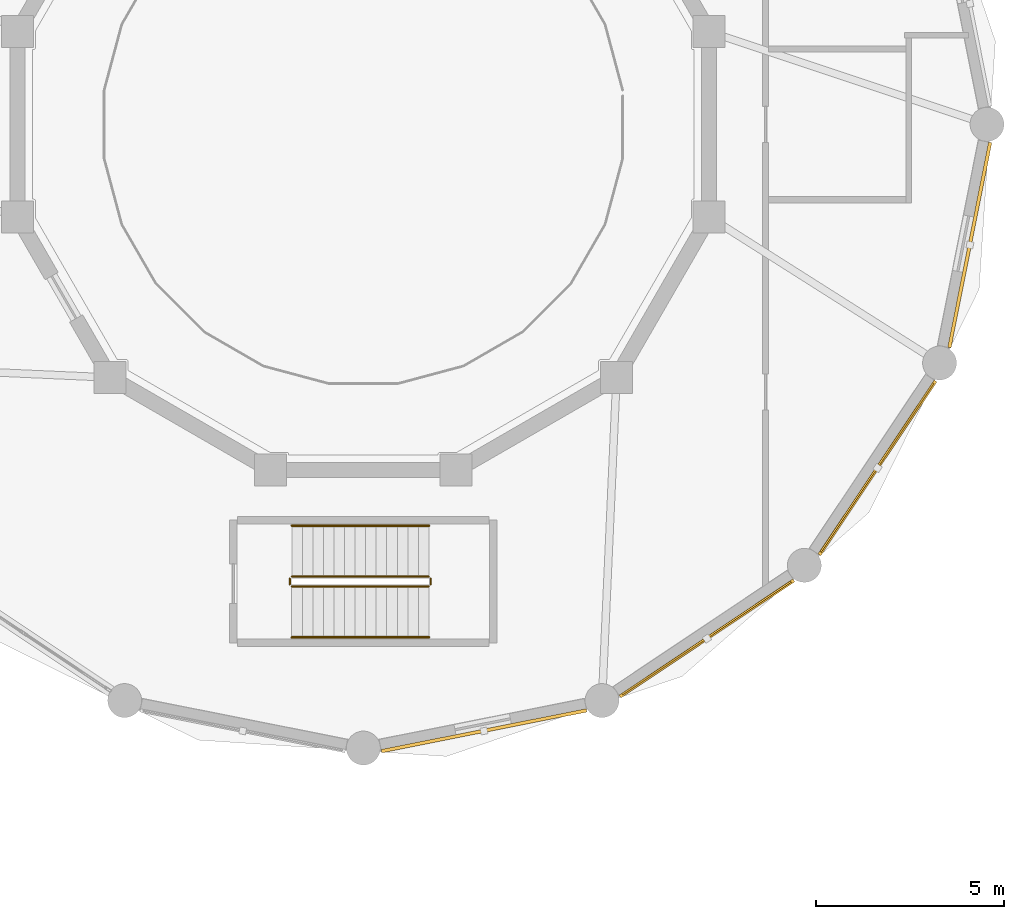
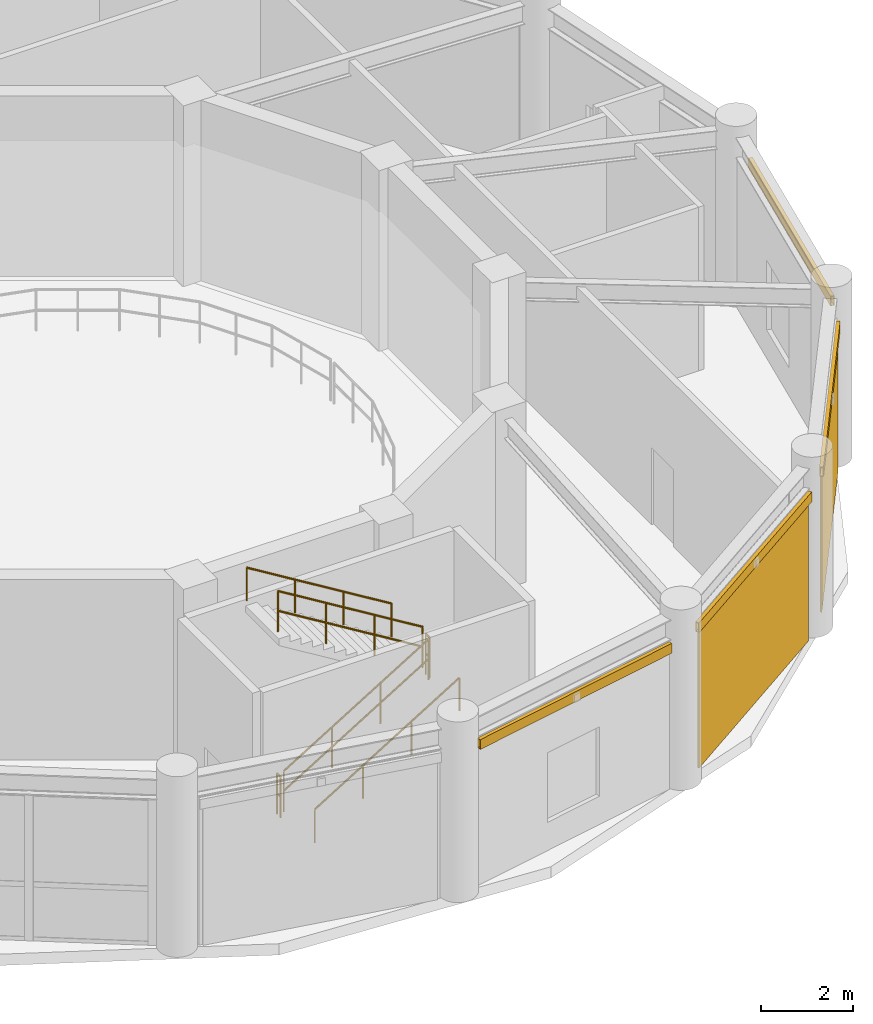
# One storey, part 42 of 44: 6 railings, 4 shading devices, 2 coverings.
"""IFC4 building model written with IfcOpenShell, lengths in metres."""

import ifcopenshell
import ifcopenshell.guid

model = None  # the IFC model being written
_history = None  # IfcOwnerHistory: only IFC2X3 demands one
_inside = {}  # id of a spatial element -> (the spatial element, [elements in it])
_under = {}  # id of a project, library or spatial element -> (it, [spatial elements below it])
_declared = {}  # id of a project -> (the project, [libraries it declares])
_typed = {}  # id of a type object -> (the type object, [elements of that type])
_made_of = {}  # id of a material, layer set ... -> (it, [elements and type objects made of it])


def new_model(schema):
    """Start an empty IFC model of exactly this schema.

    Asked for "IFC4X3", IfcOpenShell would pick the latest addendum, in which some entities
    have other attributes; the version numbers below select the first issue.
    IFC2X3 requires an IfcOwnerHistory on every rooted entity: one is made here for all.
    """
    global model, _history
    if schema == "IFC4X3":
        model = ifcopenshell.file(schema_version=(4, 3, 0, 0))
    else:
        model = ifcopenshell.file(schema=schema)
    _inside.clear()
    _under.clear()
    _declared.clear()
    _typed.clear()
    _made_of.clear()
    _history = None
    if model.schema == "IFC2X3":
        org = make("IfcOrganization", Name="unknown")
        user = make(
            "IfcPersonAndOrganization",
            ThePerson=make("IfcPerson", FamilyName="unknown"),
            TheOrganization=org,
        )
        app = make(
            "IfcApplication",
            ApplicationDeveloper=org,
            Version="unknown",
            ApplicationFullName="unknown",
            ApplicationIdentifier="unknown",
        )
        _history = make(
            "IfcOwnerHistory",
            OwningUser=user,
            OwningApplication=app,
            ChangeAction="ADDED",
            CreationDate=0,
        )
    return model


def make(cls, **values):
    """One entity of the class cls with the attributes given. An attribute that is None is left unset."""
    return model.create_entity(
        cls, **{name: value for name, value in values.items() if value is not None}
    )


def rooted(cls, **values):
    """An entity with a GlobalId (a new one), such as an element, a storey or a relation."""
    return make(cls, GlobalId=ifcopenshell.guid.new(), OwnerHistory=_history, **values)


def si_unit(unit_type, name, prefix=None):
    """IfcSIUnit, for example si_unit("LENGTHUNIT", "METRE", prefix="MILLI")."""
    return make("IfcSIUnit", UnitType=unit_type, Prefix=prefix, Name=name)


def derived_unit(unit_type, elements):
    """IfcDerivedUnit: a product of units, each with its exponent."""
    return make(
        "IfcDerivedUnit",
        Elements=[
            make("IfcDerivedUnitElement", Unit=unit, Exponent=power)
            for unit, power in elements
        ],
        UnitType=unit_type,
    )


def assignment(units):
    """IfcUnitAssignment: the units of a project."""
    return None if units is None else make("IfcUnitAssignment", Units=units)


def point(xyz):
    """IfcCartesianPoint."""
    return None if xyz is None else make("IfcCartesianPoint", Coordinates=xyz)


def direction(xyz):
    """IfcDirection."""
    return None if xyz is None else make("IfcDirection", DirectionRatios=xyz)


def frame(location, z_axis=None, x_axis=None):
    """IfcAxis2Placement3D, a coordinate frame: its origin and axes. An axis left out is left unset."""
    return make(
        "IfcAxis2Placement3D",
        Location=point(location),
        Axis=direction(z_axis),
        RefDirection=direction(x_axis),
    )


def frame_2d(location, x_axis=None):
    """IfcAxis2Placement2D, a coordinate frame in the plane: its origin and x axis."""
    return make(
        "IfcAxis2Placement2D", Location=point(location), RefDirection=direction(x_axis)
    )


def origin():
    """The frame at (0, 0, 0) with its axes left unset."""
    return frame((0.0, 0.0, 0.0))


def origin_2d():
    """The frame at (0, 0) in the plane with its x axis left unset."""
    return frame_2d((0.0, 0.0))


def place(relative_to, where):
    """IfcLocalPlacement: puts the frame where relative to a parent placement (None: the world)."""
    return make(
        "IfcLocalPlacement", PlacementRelTo=relative_to, RelativePlacement=where
    )


def context(
    kind, dimensions, precision=None, world=None, true_north=None, identifier=None
):
    """IfcGeometricRepresentationContext, for example the 3D "Model" context."""
    return make(
        "IfcGeometricRepresentationContext",
        ContextIdentifier=identifier,
        ContextType=kind,
        CoordinateSpaceDimension=dimensions,
        Precision=precision,
        WorldCoordinateSystem=world,
        TrueNorth=true_north,
    )


def subcontext(parent, identifier, kind, view, scale=None):
    """IfcGeometricRepresentationSubContext, for example "Body" below "Model"."""
    return make(
        "IfcGeometricRepresentationSubContext",
        ContextIdentifier=identifier,
        ContextType=kind,
        ParentContext=parent,
        TargetScale=scale,
        TargetView=view,
    )


def project(units=None, contexts=None):
    """IfcProject with its units and contexts."""
    return rooted(
        "IfcProject",
        Name="project",
        RepresentationContexts=contexts,
        UnitsInContext=assignment(units),
    )


def spatial(cls, under=None, at=None, **own):
    """A site, building, storey or space (cls), placed at a placement, below another one or the project."""
    s = rooted(cls, ObjectPlacement=at, **own)
    if under is not None:
        _under.setdefault(under.id(), (under, []))[1].append(s)
    return s


def polyline(points):
    """IfcPolyline through the points."""
    return make("IfcPolyline", Points=[point(p) for p in points])


def profile(cls, at=None, kind="AREA", **sizes):
    """A parametric profile (cls). Its sizes go by their IFC names, for example OverallWidth=200.0."""
    return make(cls, ProfileType=kind, Position=at, **sizes)


def hollow_rectangle(**sizes):
    """IfcRectangleHollowProfileDef."""
    return profile("IfcRectangleHollowProfileDef", **sizes)


def circle(**sizes):
    """IfcCircleProfileDef."""
    return profile("IfcCircleProfileDef", **sizes)


def outline(outer, holes=None, kind="AREA"):
    """IfcArbitraryClosedProfileDef: a profile drawn as a closed curve; with holes, ...WithVoids."""
    if holes is None:
        return make("IfcArbitraryClosedProfileDef", ProfileType=kind, OuterCurve=outer)
    return make(
        "IfcArbitraryProfileDefWithVoids",
        ProfileType=kind,
        OuterCurve=outer,
        InnerCurves=holes,
    )


def extrude(swept, where, along, depth):
    """IfcExtrudedAreaSolid: the profile swept, set in the frame where, extruded along a direction by depth."""
    return make(
        "IfcExtrudedAreaSolid",
        SweptArea=swept,
        Position=where,
        ExtrudedDirection=direction(along),
        Depth=depth,
    )


def shape(context_of_items, identifier, shape_type, items):
    """IfcShapeRepresentation: the items that make up one representation, for example the "Body"."""
    return make(
        "IfcShapeRepresentation",
        ContextOfItems=context_of_items,
        RepresentationIdentifier=identifier,
        RepresentationType=shape_type,
        Items=items,
    )


def source(mapping_origin, context_of_items, identifier, shape_type, items):
    """IfcRepresentationMap: a shape defined once, which mapped items show again and again."""
    return make(
        "IfcRepresentationMap",
        MappingOrigin=mapping_origin,
        MappedRepresentation=shape(context_of_items, identifier, shape_type, items),
    )


def transform(
    local_origin,
    x_axis=None,
    y_axis=None,
    z_axis=None,
    scale=None,
    scale2=None,
    scale3=None,
    uniform=True,
):
    """IfcCartesianTransformationOperator3D, or its non-uniform kind. x_axis, y_axis, z_axis: its Axis1, 2, 3."""
    if uniform:
        return make(
            "IfcCartesianTransformationOperator3D",
            Axis1=direction(x_axis),
            Axis2=direction(y_axis),
            LocalOrigin=point(local_origin),
            Scale=scale,
            Axis3=direction(z_axis),
        )
    return make(
        "IfcCartesianTransformationOperator3DnonUniform",
        Axis1=direction(x_axis),
        Axis2=direction(y_axis),
        LocalOrigin=point(local_origin),
        Scale=scale,
        Axis3=direction(z_axis),
        Scale2=scale2,
        Scale3=scale3,
    )


def mapped(mapping_source, mapping_target):
    """IfcMappedItem: shows the shape of a source again, moved by a transform."""
    return make(
        "IfcMappedItem", MappingSource=mapping_source, MappingTarget=mapping_target
    )


def material(Name=None, Category=None):
    """IfcMaterial."""
    return make("IfcMaterial", Name=Name, Category=Category)


def layer(
    of_material, thickness, ventilated=None, Name=None, Category=None, Priority=None
):
    """IfcMaterialLayer: one layer of a wall or slab, of a material (None: an air gap)."""
    return make(
        "IfcMaterialLayer",
        Material=of_material,
        LayerThickness=thickness,
        IsVentilated=ventilated,
        Name=Name,
        Category=Category,
        Priority=Priority,
    )


def layer_set(layers, Name=None):
    """IfcMaterialLayerSet."""
    return make("IfcMaterialLayerSet", MaterialLayers=layers, LayerSetName=Name)


def material_profile(
    of_material, cross_section, Name=None, Category=None, Priority=None
):
    """IfcMaterialProfile: a cross section and its material."""
    return make(
        "IfcMaterialProfile",
        Name=Name,
        Material=of_material,
        Profile=cross_section,
        Priority=Priority,
        Category=Category,
    )


def profile_set(profiles, Name=None, composite=None):
    """IfcMaterialProfileSet."""
    return make(
        "IfcMaterialProfileSet",
        Name=Name,
        MaterialProfiles=profiles,
        CompositeProfile=composite,
    )


def made_of(thing, what):
    """Note that an element or type object is made of a material, layer set ...; save() writes the relation."""
    if what is not None:
        _made_of.setdefault(what.id(), (what, []))[1].append(thing)
    return thing


def type_object(cls, material=None, **own):
    """A type object (cls), such as IfcWallType, which elements share."""
    return made_of(rooted(cls, **own), material)


def element(
    cls,
    number,
    at=None,
    inside=None,
    cuts=None,
    type_object=None,
    material=None,
    context=None,
    identifier="Body",
    shape_type=None,
    held_by="IfcProductDefinitionShape",
    body=None,
    shapes=None,
    **own,
):
    """One element of the class cls, such as IfcWall. Its Tag is "e" and its number.

    at: its placement. inside: the storey or other place that contains it. cuts: it is an
    opening in that element (IfcRelVoidsElement). A single representation is given by context,
    identifier, shape_type and body (its items); several are given by shapes. held_by: the class
    of the entity that holds the representations. save() writes the other relations.
    """
    e = rooted(cls, Tag="e%d" % number, ObjectPlacement=at, **own)
    if body is not None:
        shapes = [shape(context, identifier, shape_type, body)]
    if shapes is not None:
        e.Representation = make(held_by, Representations=shapes)
    if inside is not None:
        _inside.setdefault(inside.id(), (inside, []))[1].append(e)
    if cuts is not None:
        rooted(
            "IfcRelVoidsElement", RelatingBuildingElement=cuts, RelatedOpeningElement=e
        )
    if type_object is not None:
        _typed.setdefault(type_object.id(), (type_object, []))[1].append(e)
    return made_of(e, material)


def aggregate(whole, parts):
    """IfcRelAggregates: a whole, such as a stair, and the parts it consists of."""
    return rooted("IfcRelAggregates", RelatingObject=whole, RelatedObjects=parts)


def save(model, path):
    """Write the relations noted so far, then the file.

    IfcRelAggregates (storeys below a building ...), IfcRelContainedInSpatialStructure (elements
    in a storey), IfcRelDefinesByType, IfcRelAssociatesMaterial and IfcRelDeclares: one each for
    every whole, place, type object, material and project.
    """
    for whole, parts in _under.values():
        aggregate(whole, parts)
    for where, things in _inside.values():
        rooted(
            "IfcRelContainedInSpatialStructure",
            RelatedElements=things,
            RelatingStructure=where,
        )
    for kind, things in _typed.values():
        rooted("IfcRelDefinesByType", RelatedObjects=things, RelatingType=kind)
    for what, things in _made_of.values():
        rooted("IfcRelAssociatesMaterial", RelatedObjects=things, RelatingMaterial=what)
    for by, libraries in _declared.values():
        rooted("IfcRelDeclares", RelatingContext=by, RelatedDefinitions=libraries)
    model.write(path)


model = new_model("IFC4")

# Units and contexts
model_context = context("Model", 3, precision=1e-05, world=origin(), true_north=direction((0.0, 1.0)))
body_context = subcontext(model_context, "Body", "Model", "MODEL_VIEW")
ifc_project = project(units=[si_unit("LENGTHUNIT", "METRE"), si_unit("AREAUNIT", "SQUARE_METRE"), si_unit("VOLUMEUNIT", "CUBIC_METRE"), si_unit("PLANEANGLEUNIT", "RADIAN"), si_unit("MASSUNIT", "GRAM", prefix="KILO"), derived_unit("THERMALTRANSMITTANCEUNIT", [(si_unit("POWERUNIT", "WATT"), 1), (si_unit("LENGTHUNIT", "METRE"), -2), (si_unit("THERMODYNAMICTEMPERATUREUNIT", "KELVIN"), -1)])], contexts=[model_context])

# Site, building, storey
site_placement = place(None, origin())
site = spatial("IfcSite", under=ifc_project, at=site_placement, CompositionType="ELEMENT")
building_placement = place(site_placement, origin())
building = spatial("IfcBuilding", under=site, at=building_placement, Name="Korsvarv Bourse and Concert Hall", CompositionType="ELEMENT")
storey_placement = place(building_placement, frame((0.0, 0.0, 9.60009765625)))
storey = spatial("IfcBuildingStorey", under=building, at=storey_placement, Name="L02", CompositionType="ELEMENT", Elevation=9.60009765625)

# Coverings
ifc_material_1 = material(Name="Warm iron-oxide extruded terracotta rainscreen tile", Category="ceramic")
ifc_layer = layer(ifc_material_1, 0.044921875)
ifc_layer_set = layer_set([ifc_layer], Name="Warm iron-oxide extruded terracotta rainscreen tile")
covering_type = type_object("IfcCoveringType", Name="COV-CLD-TC", PredefinedType="CLADDING", material=ifc_layer_set)
covering_1_placement = place(storey_placement, origin())
element("IfcCovering", 1, at=covering_1_placement, inside=storey, type_object=covering_type, Name="L02 fluted terracotta cladding panel EW-L02-CHD14", PredefinedType="CLADDING", context=body_context, shape_type="SweptSolid", body=[
    extrude(outline(polyline([(113.6533203125, 20.894775390625), (118.1328125, 23.887939453125), (118.15771484375, 23.8505859375), (113.67822265625, 20.857421875), (113.6533203125, 20.894775390625)])), origin(), (0.0, 0.0, 1.0), 3.6298828125),
])
covering_2_placement = place(storey_placement, origin())
element("IfcCovering", 2, at=covering_2_placement, inside=storey, type_object=covering_type, Name="L02 fluted terracotta cladding panel EW-L02-CHD15", PredefinedType="CLADDING", context=body_context, shape_type="SweptSolid", body=[
    extrude(outline(polyline([(118.912109375, 24.667236328125), (121.9052734375, 29.146728515625), (121.942626953125, 29.121826171875), (118.949462890625, 24.64208984375), (118.912109375, 24.667236328125)])), origin(), (0.0, 0.0, 1.0), 3.6298828125),
])

# Railings
ifc_material_2 = material(Name="Painted Steel S355 stair well guardrail", Category="steel")
railing_type_1 = type_object("IfcRailingType", Name="RL-ST-GRD", PredefinedType="GUARDRAIL", material=ifc_material_2)
railing_1_placement = place(storey_placement, frame((104.89990234375, 23.739990234375, 0.17138671875)))
element("IfcRailing", 3, at=railing_1_placement, inside=storey, type_object=railing_type_1, Name="L02 ST-CH2 stair guard 1", PredefinedType="GUARDRAIL", context=body_context, shape_type="SweptSolid", body=[
    extrude(circle(Radius=0.02392578125, at=origin_2d()), frame((0.0, 0.0, 1.076171875), z_axis=(0.852865859571, 0.0, 0.52213008492), x_axis=(0.0, 1.0, 0.0)), (0.0, 0.0, 1.0), 4.26806640625),
    extrude(circle(Radius=0.02392578125, at=origin_2d()), frame((0.0, 0.0, 0.550048828125), z_axis=(0.852865859571, 0.0, 0.52213008492), x_axis=(0.0, 1.0, 0.0)), (0.0, 0.0, 1.0), 4.26806640625),
    extrude(circle(Radius=0.02099609375, at=origin_2d()), origin(), (0.0, 0.0, 1.0), 1.052001953125),
    extrude(circle(Radius=0.02099609375, at=origin_2d()), frame((1.21337890625, 0.0, 0.742919921875)), (0.0, 0.0, 1.0), 1.052001953125),
    extrude(circle(Radius=0.02099609375, at=origin_2d()), frame((2.4267578125, 0.0, 1.485595703125)), (0.0, 0.0, 1.0), 1.052001953125),
    extrude(circle(Radius=0.02099609375, at=origin_2d()), frame((3.64013671875, 0.0, 2.228515625)), (0.0, 0.0, 1.0), 1.052001953125),
])
railing_2_placement = place(storey_placement, frame((108.590087890625, 23.7900390625, 2.39990234375)))
element("IfcRailing", 4, at=railing_2_placement, inside=storey, type_object=railing_type_1, Name="L02 ST-CH2 stair guard 2", PredefinedType="GUARDRAIL", context=body_context, shape_type="SweptSolid", body=[
    extrude(circle(Radius=0.02392578125, at=origin_2d()), frame((0.0, 0.0, 1.076171875), z_axis=(0.0, 1.0, 0.0), x_axis=(-1.0, 0.0, 0.0)), (0.0, 0.0, 1.0), 0.159912109375),
    extrude(circle(Radius=0.02392578125, at=origin_2d()), frame((0.0, 0.0, 0.550048828125), z_axis=(0.0, 1.0, 0.0), x_axis=(-1.0, 0.0, 0.0)), (0.0, 0.0, 1.0), 0.159912109375),
    extrude(circle(Radius=0.02099609375, at=origin_2d()), origin(), (0.0, 0.0, 1.0), 1.052001953125),
    extrude(circle(Radius=0.02099609375, at=origin_2d()), frame((0.0, 0.159912109375, 0.0)), (0.0, 0.0, 1.0), 1.052001953125),
])
railing_3_placement = place(storey_placement, frame((108.5400390625, 24.0, 2.5712890625)))
element("IfcRailing", 5, at=railing_3_placement, inside=storey, type_object=railing_type_1, Name="L02 ST-CH2 stair guard 3", PredefinedType="GUARDRAIL", context=body_context, shape_type="SweptSolid", body=[
    extrude(circle(Radius=0.02392578125, at=origin_2d()), frame((0.0, 0.0, 1.076171875), z_axis=(-0.852865859571, 0.0, 0.52213008492), x_axis=(0.0, -1.0, 0.0)), (0.0, 0.0, 1.0), 4.26806640625),
    extrude(circle(Radius=0.02392578125, at=origin_2d()), frame((0.0, 0.0, 0.550048828125), z_axis=(-0.852865859571, 0.0, 0.52213008492), x_axis=(0.0, -1.0, 0.0)), (0.0, 0.0, 1.0), 4.26806640625),
    extrude(circle(Radius=0.02099609375, at=origin_2d()), origin(), (0.0, 0.0, 1.0), 1.052001953125),
    extrude(circle(Radius=0.02099609375, at=origin_2d()), frame((-1.21337890625, 0.0, 0.742919921875)), (0.0, 0.0, 1.0), 1.052001953125),
    extrude(circle(Radius=0.02099609375, at=origin_2d()), frame((-2.4267578125, 0.0, 1.485595703125)), (0.0, 0.0, 1.0), 1.052001953125),
    extrude(circle(Radius=0.02099609375, at=origin_2d()), frame((-3.64013671875, 0.0, 2.228515625)), (0.0, 0.0, 1.0), 1.052001953125),
])
railing_4_placement = place(storey_placement, frame((104.85009765625, 23.7900390625, 0.0)))
element("IfcRailing", 6, at=railing_4_placement, inside=storey, type_object=railing_type_1, Name="L02 ST-CH2 stair guard 4", PredefinedType="GUARDRAIL", context=body_context, shape_type="SweptSolid", body=[
    extrude(circle(Radius=0.02392578125, at=origin_2d()), frame((0.0, 0.0, 1.076171875), z_axis=(0.0, 1.0, 0.0), x_axis=(-1.0, 0.0, 0.0)), (0.0, 0.0, 1.0), 0.159912109375),
    extrude(circle(Radius=0.02392578125, at=origin_2d()), frame((0.0, 0.0, 0.550048828125), z_axis=(0.0, 1.0, 0.0), x_axis=(-1.0, 0.0, 0.0)), (0.0, 0.0, 1.0), 0.159912109375),
    extrude(circle(Radius=0.02099609375, at=origin_2d()), origin(), (0.0, 0.0, 1.0), 1.052001953125),
    extrude(circle(Radius=0.02099609375, at=origin_2d()), frame((0.0, 0.159912109375, 0.0)), (0.0, 0.0, 1.0), 1.052001953125),
])
ifc_material_3 = material(Name="Brushed stainless Steel S355 tubular handrail", Category="steel")
railing_type_2 = type_object("IfcRailingType", Name="RL-ST-HND", PredefinedType="HANDRAIL", material=ifc_material_3)
railing_5_placement = place(storey_placement, frame((104.89990234375, 22.389892578125, 0.17138671875)))
element("IfcRailing", 7, at=railing_5_placement, inside=storey, type_object=railing_type_2, Name="L02 ST-CH2 stair handrail 1", PredefinedType="HANDRAIL", context=body_context, shape_type="SweptSolid", body=[
    extrude(circle(Radius=0.02392578125, at=origin_2d()), frame((0.0, 0.0, 0.8759765625), z_axis=(0.852865859571, 0.0, 0.52213008492), x_axis=(0.0, 1.0, 0.0)), (0.0, 0.0, 1.0), 4.26806640625),
    extrude(circle(Radius=0.02099609375, at=origin_2d()), origin(), (0.0, 0.0, 1.0), 0.851806640625),
    extrude(circle(Radius=0.02099609375, at=origin_2d()), frame((1.21337890625, 0.0, 0.742919921875)), (0.0, 0.0, 1.0), 0.851806640625),
    extrude(circle(Radius=0.02099609375, at=origin_2d()), frame((2.4267578125, 0.0, 1.485595703125)), (0.0, 0.0, 1.0), 0.851806640625),
    extrude(circle(Radius=0.02099609375, at=origin_2d()), frame((3.64013671875, 0.0, 2.228515625)), (0.0, 0.0, 1.0), 0.851806640625),
])
railing_6_placement = place(storey_placement, frame((108.5400390625, 25.35009765625, 2.5712890625)))
element("IfcRailing", 8, at=railing_6_placement, inside=storey, type_object=railing_type_2, Name="L02 ST-CH2 stair handrail 2", PredefinedType="HANDRAIL", context=body_context, shape_type="SweptSolid", body=[
    extrude(circle(Radius=0.02392578125, at=origin_2d()), frame((0.0, 0.0, 0.8759765625), z_axis=(-0.852865859571, 0.0, 0.52213008492), x_axis=(0.0, -1.0, 0.0)), (0.0, 0.0, 1.0), 4.26806640625),
    extrude(circle(Radius=0.02099609375, at=origin_2d()), origin(), (0.0, 0.0, 1.0), 0.851806640625),
    extrude(circle(Radius=0.02099609375, at=origin_2d()), frame((-1.21337890625, 0.0, 0.742919921875)), (0.0, 0.0, 1.0), 0.851806640625),
    extrude(circle(Radius=0.02099609375, at=origin_2d()), frame((-2.4267578125, 0.0, 1.485595703125)), (0.0, 0.0, 1.0), 0.851806640625),
    extrude(circle(Radius=0.02099609375, at=origin_2d()), frame((-3.64013671875, 0.0, 2.228515625)), (0.0, 0.0, 1.0), 0.851806640625),
])

# Shading devices
ifc_material_4 = material(Name="Glazed extruded architectural terracotta", Category="ceramic")
ifc_material_profile = material_profile(ifc_material_4, hollow_rectangle(XDim=0.090087890625, YDim=0.260009765625, WallThickness=0.011962890625, at=origin_2d()), Name="TC-BAG 90x260")
ifc_profile_set = profile_set([ifc_material_profile], Name="Glazed extruded architectural terracotta")
shading_device_type = type_object("IfcShadingDeviceType", Name="SHD-BAG-1", PredefinedType="USERDEFINED", material=ifc_profile_set)
shared_shape = source(origin(), body_context, "Body", "SweptSolid", [
    extrude(hollow_rectangle(XDim=0.090087890625, YDim=0.260009765625, WallThickness=0.011962890625, at=origin_2d()), origin(), (0.0, 0.0, 1.0), 5.54736328125),
])
for number, where, z_axis, x_axis, name in (
    (9, (107.280517578125, 19.3671875, 3.789794921875), (0.980783277025, 0.195100393406, 0.0), (-0.195100393406, 0.980783277025, 0.0), "L02 terracotta baguette sunshade EW-L02-CHD13"),
    (10, (113.60888671875, 20.817138671875, 3.789794921875), (0.831467559129, 0.555573305798, 0.0), (-0.555573305798, 0.831467559129, 0.0), "L02 terracotta baguette sunshade EW-L02-CHD14"),
    (11, (118.90087890625, 24.57861328125, 3.789794921875), (0.555573305798, 0.831467559129, 0.0), (-0.831467559129, 0.555573305798, 0.0), "L02 terracotta baguette sunshade EW-L02-CHD15"),
    (12, (122.3505859375, 30.078857421875, 3.789794921875), (0.195100393406, 0.980783277025, 0.0), (-0.980783277025, 0.195100393406, 0.0), "L02 terracotta baguette sunshade EW-L02-CHD16"),
):
    element("IfcShadingDevice", number, at=place(storey_placement, frame(where, z_axis=z_axis, x_axis=x_axis)), inside=storey, type_object=shading_device_type, Name=name, ObjectType="BAGUETTE", PredefinedType="USERDEFINED", context=body_context, shape_type="MappedRepresentation", body=[
        mapped(shared_shape, transform((0.0, 0.0, 0.0), scale=1.0)),
    ])

save(model, "model.ifc")
